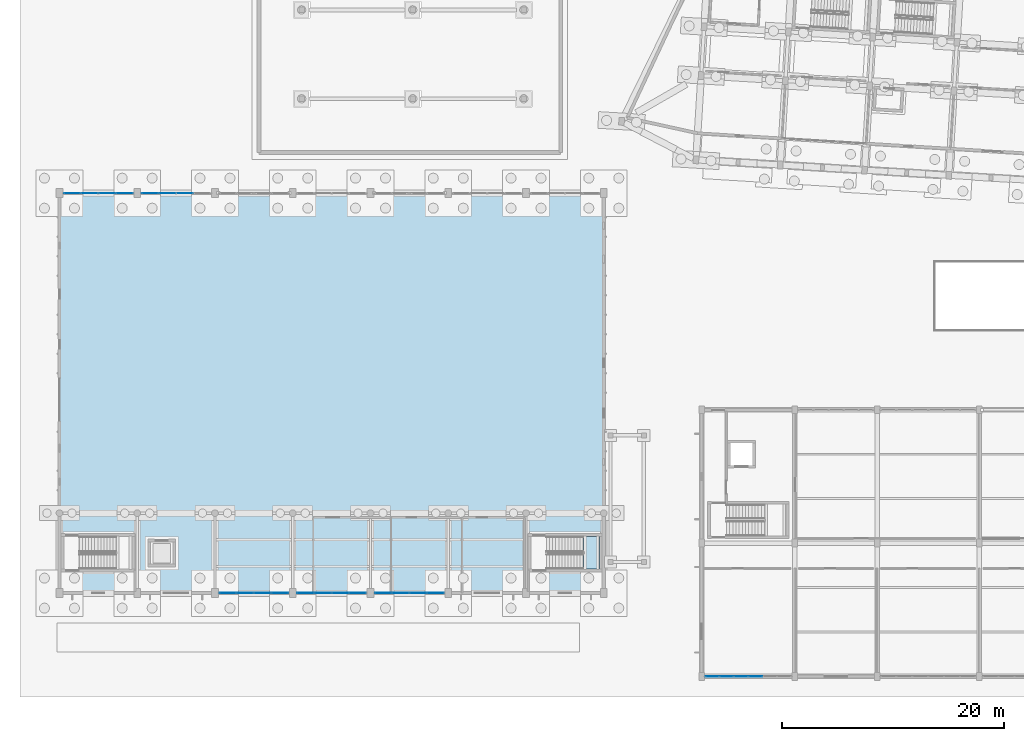
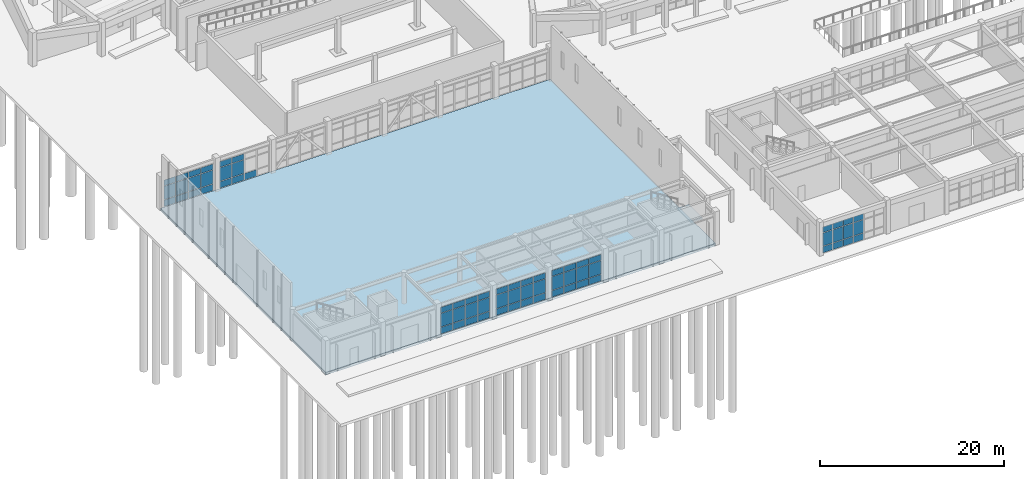
# One storey, part 100 of 154: 67 plates, 2 slabs, 7 elements without a shape of their own.
"""IFC4 building model written with IfcOpenShell, lengths in metres."""

from ifc_helpers import new_model, si_unit, direction, frame, origin, origin_2d, place, context, subcontext, project, spatial, polyline, rectangle, outline, extrude, material, layer, layer_set, type_object, element, aggregate, save


model = new_model("IFC4")

# Units and contexts
model_context = context("Model", 3, precision=1e-05, world=origin(), true_north=direction((0.0, 1.0)))
body_context = subcontext(model_context, "Body", "Model", "MODEL_VIEW")
ifc_project = project(units=[si_unit("LENGTHUNIT", "METRE"), si_unit("AREAUNIT", "SQUARE_METRE"), si_unit("VOLUMEUNIT", "CUBIC_METRE"), si_unit("PLANEANGLEUNIT", "RADIAN"), si_unit("MASSUNIT", "GRAM", prefix="KILO")], contexts=[model_context])

# Site, building, storey
site_placement = place(None, origin())
site = spatial("IfcSite", under=ifc_project, at=site_placement, CompositionType="ELEMENT")
building_placement = place(site_placement, origin())
building = spatial("IfcBuilding", under=site, at=building_placement, Name="Kestramere Prow Commons", CompositionType="ELEMENT")
storey_placement = place(building_placement, origin())
storey = spatial("IfcBuildingStorey", under=building, at=storey_placement, Name="L00", CompositionType="ELEMENT", Elevation=0.0)

# Curtain wall, plates
ifc_material_1 = material(Name="Anodised Aluminium and Low-E Glass", Category="aluminium")
curtain_wall_type_1 = type_object("IfcCurtainWallType", Name="CW-11 Glazed Curtain Wall 6300x3650", PredefinedType="USERDEFINED", material=ifc_material_1)
curtain_wall_1_placement = place(storey_placement, origin())
curtain_wall_1 = element("IfcCurtainWall", 1, at=curtain_wall_1_placement, inside=storey, type_object=curtain_wall_type_1, Name="Hall North Courtyard Curtain Wall L00-1", ObjectType="GLAZED CURTAIN WALL", PredefinedType="USERDEFINED")
ifc_material_2 = material(Name="Low-E Laminated Double Glazing", Category="glass")
ifc_layer_1 = layer(ifc_material_2, 0.028076171875)
ifc_layer_set_1 = layer_set([ifc_layer_1], Name="Low-E Laminated Double Glazing")
plate_type = type_object("IfcPlateType", Name="CW-PNL-28", PredefinedType="CURTAIN_PANEL", material=ifc_layer_set_1)
plate_1_placement = place(storey_placement, frame((3.353759765625, 43.5, 0.06494140625), z_axis=(0.0, 0.0, 1.0), x_axis=(1.0, 0.0, 0.0)))
plate_1 = element("IfcPlate", 2, at=plate_1_placement, type_object=plate_type, Name="CW-11 panel 1.1", PredefinedType="CURTAIN_PANEL", context=body_context, shape_type="SweptSolid", body=[
    extrude(rectangle(XDim=1.4775390625, YDim=0.028076171875, at=origin_2d()), origin(), (0.0, 0.0, 1.0), 0.8525390625),
])
plate_2_placement = place(storey_placement, frame((3.353759765625, 43.5, 0.982421875), z_axis=(0.0, 0.0, 1.0), x_axis=(1.0, 0.0, 0.0)))
plate_2 = element("IfcPlate", 3, at=plate_2_placement, type_object=plate_type, Name="CW-11 panel 1.2", PredefinedType="CURTAIN_PANEL", context=body_context, shape_type="SweptSolid", body=[
    extrude(rectangle(XDim=1.4775390625, YDim=0.028076171875, at=origin_2d()), origin(), (0.0, 0.0, 1.0), 1.784912109375),
])
plate_3_placement = place(storey_placement, frame((3.353759765625, 43.5, 2.83251953125), z_axis=(0.0, 0.0, 1.0), x_axis=(1.0, 0.0, 0.0)))
plate_3 = element("IfcPlate", 4, at=plate_3_placement, type_object=plate_type, Name="CW-11 panel 1.3", PredefinedType="CURTAIN_PANEL", context=body_context, shape_type="SweptSolid", body=[
    extrude(rectangle(XDim=1.4775390625, YDim=0.028076171875, at=origin_2d()), origin(), (0.0, 0.0, 1.0), 0.75244140625),
])
plate_4_placement = place(storey_placement, frame((4.91259765625, 43.5, 0.06494140625), z_axis=(0.0, 0.0, 1.0), x_axis=(1.0, 0.0, 0.0)))
plate_4 = element("IfcPlate", 5, at=plate_4_placement, type_object=plate_type, Name="CW-11 panel 2.1", PredefinedType="CURTAIN_PANEL", context=body_context, shape_type="SweptSolid", body=[
    extrude(rectangle(XDim=1.510009765625, YDim=0.028076171875, at=origin_2d()), origin(), (0.0, 0.0, 1.0), 0.8525390625),
])
plate_5_placement = place(storey_placement, frame((4.91259765625, 43.5, 0.982421875), z_axis=(0.0, 0.0, 1.0), x_axis=(1.0, 0.0, 0.0)))
plate_5 = element("IfcPlate", 6, at=plate_5_placement, type_object=plate_type, Name="CW-11 panel 2.2", PredefinedType="CURTAIN_PANEL", context=body_context, shape_type="SweptSolid", body=[
    extrude(rectangle(XDim=1.510009765625, YDim=0.028076171875, at=origin_2d()), origin(), (0.0, 0.0, 1.0), 1.784912109375),
])
plate_6_placement = place(storey_placement, frame((4.91259765625, 43.5, 2.83251953125), z_axis=(0.0, 0.0, 1.0), x_axis=(1.0, 0.0, 0.0)))
plate_6 = element("IfcPlate", 7, at=plate_6_placement, type_object=plate_type, Name="CW-11 panel 2.3", PredefinedType="CURTAIN_PANEL", context=body_context, shape_type="SweptSolid", body=[
    extrude(rectangle(XDim=1.510009765625, YDim=0.028076171875, at=origin_2d()), origin(), (0.0, 0.0, 1.0), 0.75244140625),
])
plate_7_placement = place(storey_placement, frame((6.487548828125, 43.5, 0.06494140625), z_axis=(0.0, 0.0, 1.0), x_axis=(1.0, 0.0, 0.0)))
plate_7 = element("IfcPlate", 8, at=plate_7_placement, type_object=plate_type, Name="CW-11 panel 3.1", PredefinedType="CURTAIN_PANEL", context=body_context, shape_type="SweptSolid", body=[
    extrude(rectangle(XDim=1.510009765625, YDim=0.028076171875, at=origin_2d()), origin(), (0.0, 0.0, 1.0), 0.8525390625),
])
plate_8_placement = place(storey_placement, frame((6.487548828125, 43.5, 0.982421875), z_axis=(0.0, 0.0, 1.0), x_axis=(1.0, 0.0, 0.0)))
plate_8 = element("IfcPlate", 9, at=plate_8_placement, type_object=plate_type, Name="CW-11 panel 3.2", PredefinedType="CURTAIN_PANEL", context=body_context, shape_type="SweptSolid", body=[
    extrude(rectangle(XDim=1.510009765625, YDim=0.028076171875, at=origin_2d()), origin(), (0.0, 0.0, 1.0), 1.784912109375),
])
plate_9_placement = place(storey_placement, frame((6.487548828125, 43.5, 2.83251953125), z_axis=(0.0, 0.0, 1.0), x_axis=(1.0, 0.0, 0.0)))
plate_9 = element("IfcPlate", 10, at=plate_9_placement, type_object=plate_type, Name="CW-11 panel 3.3", PredefinedType="CURTAIN_PANEL", context=body_context, shape_type="SweptSolid", body=[
    extrude(rectangle(XDim=1.510009765625, YDim=0.028076171875, at=origin_2d()), origin(), (0.0, 0.0, 1.0), 0.75244140625),
])
plate_10_placement = place(storey_placement, frame((8.046142578125, 43.5, 0.06494140625), z_axis=(0.0, 0.0, 1.0), x_axis=(1.0, 0.0, 0.0)))
plate_10 = element("IfcPlate", 11, at=plate_10_placement, type_object=plate_type, Name="CW-11 panel 4.1", PredefinedType="CURTAIN_PANEL", context=body_context, shape_type="SweptSolid", body=[
    extrude(rectangle(XDim=1.4775390625, YDim=0.028076171875, at=origin_2d()), origin(), (0.0, 0.0, 1.0), 0.8525390625),
])
plate_11_placement = place(storey_placement, frame((8.046142578125, 43.5, 0.982421875), z_axis=(0.0, 0.0, 1.0), x_axis=(1.0, 0.0, 0.0)))
plate_11 = element("IfcPlate", 12, at=plate_11_placement, type_object=plate_type, Name="CW-11 panel 4.2", PredefinedType="CURTAIN_PANEL", context=body_context, shape_type="SweptSolid", body=[
    extrude(rectangle(XDim=1.4775390625, YDim=0.028076171875, at=origin_2d()), origin(), (0.0, 0.0, 1.0), 1.784912109375),
])
plate_12_placement = place(storey_placement, frame((8.046142578125, 43.5, 2.83251953125), z_axis=(0.0, 0.0, 1.0), x_axis=(1.0, 0.0, 0.0)))
plate_12 = element("IfcPlate", 13, at=plate_12_placement, type_object=plate_type, Name="CW-11 panel 4.3", PredefinedType="CURTAIN_PANEL", context=body_context, shape_type="SweptSolid", body=[
    extrude(rectangle(XDim=1.4775390625, YDim=0.028076171875, at=origin_2d()), origin(), (0.0, 0.0, 1.0), 0.75244140625),
])
aggregate(curtain_wall_1, [plate_1, plate_2, plate_3, plate_4, plate_5, plate_6, plate_7, plate_8, plate_9, plate_10, plate_11, plate_12])

curtain_wall_2_placement = place(storey_placement, origin())
curtain_wall_2 = element("IfcCurtainWall", 14, at=curtain_wall_2_placement, inside=storey, type_object=curtain_wall_type_1, Name="Hall North Courtyard Curtain Wall L00-2", ObjectType="GLAZED CURTAIN WALL", PredefinedType="USERDEFINED")
plate_13_placement = place(storey_placement, frame((10.353759765625, 43.5, 0.06494140625), z_axis=(0.0, 0.0, 1.0), x_axis=(1.0, 0.0, 0.0)))
plate_13 = element("IfcPlate", 15, at=plate_13_placement, type_object=plate_type, Name="CW-11 panel 1.1", PredefinedType="CURTAIN_PANEL", context=body_context, shape_type="SweptSolid", body=[
    extrude(rectangle(XDim=1.4775390625, YDim=0.028076171875, at=origin_2d()), origin(), (0.0, 0.0, 1.0), 0.8525390625),
])
plate_14_placement = place(storey_placement, frame((10.353759765625, 43.5, 0.982421875), z_axis=(0.0, 0.0, 1.0), x_axis=(1.0, 0.0, 0.0)))
plate_14 = element("IfcPlate", 16, at=plate_14_placement, type_object=plate_type, Name="CW-11 panel 1.2", PredefinedType="CURTAIN_PANEL", context=body_context, shape_type="SweptSolid", body=[
    extrude(rectangle(XDim=1.4775390625, YDim=0.028076171875, at=origin_2d()), origin(), (0.0, 0.0, 1.0), 1.784912109375),
])
plate_15_placement = place(storey_placement, frame((10.353759765625, 43.5, 2.83251953125), z_axis=(0.0, 0.0, 1.0), x_axis=(1.0, 0.0, 0.0)))
plate_15 = element("IfcPlate", 17, at=plate_15_placement, type_object=plate_type, Name="CW-11 panel 1.3", PredefinedType="CURTAIN_PANEL", context=body_context, shape_type="SweptSolid", body=[
    extrude(rectangle(XDim=1.4775390625, YDim=0.028076171875, at=origin_2d()), origin(), (0.0, 0.0, 1.0), 0.75244140625),
])
plate_16_placement = place(storey_placement, frame((11.91259765625, 43.5, 0.06494140625), z_axis=(0.0, 0.0, 1.0), x_axis=(1.0, 0.0, 0.0)))
plate_16 = element("IfcPlate", 18, at=plate_16_placement, type_object=plate_type, Name="CW-11 panel 2.1", PredefinedType="CURTAIN_PANEL", context=body_context, shape_type="SweptSolid", body=[
    extrude(rectangle(XDim=1.510009765625, YDim=0.028076171875, at=origin_2d()), origin(), (0.0, 0.0, 1.0), 0.8525390625),
])
plate_17_placement = place(storey_placement, frame((11.91259765625, 43.5, 0.982421875), z_axis=(0.0, 0.0, 1.0), x_axis=(1.0, 0.0, 0.0)))
plate_17 = element("IfcPlate", 19, at=plate_17_placement, type_object=plate_type, Name="CW-11 panel 2.2", PredefinedType="CURTAIN_PANEL", context=body_context, shape_type="SweptSolid", body=[
    extrude(rectangle(XDim=1.510009765625, YDim=0.028076171875, at=origin_2d()), origin(), (0.0, 0.0, 1.0), 1.784912109375),
])
plate_18_placement = place(storey_placement, frame((11.91259765625, 43.5, 2.83251953125), z_axis=(0.0, 0.0, 1.0), x_axis=(1.0, 0.0, 0.0)))
plate_18 = element("IfcPlate", 20, at=plate_18_placement, type_object=plate_type, Name="CW-11 panel 2.3", PredefinedType="CURTAIN_PANEL", context=body_context, shape_type="SweptSolid", body=[
    extrude(rectangle(XDim=1.510009765625, YDim=0.028076171875, at=origin_2d()), origin(), (0.0, 0.0, 1.0), 0.75244140625),
])
plate_19_placement = place(storey_placement, frame((13.487548828125, 43.5, 0.06494140625), z_axis=(0.0, 0.0, 1.0), x_axis=(1.0, 0.0, 0.0)))
plate_19 = element("IfcPlate", 21, at=plate_19_placement, type_object=plate_type, Name="CW-11 panel 3.1", PredefinedType="CURTAIN_PANEL", context=body_context, shape_type="SweptSolid", body=[
    extrude(rectangle(XDim=1.510009765625, YDim=0.028076171875, at=origin_2d()), origin(), (0.0, 0.0, 1.0), 0.8525390625),
])
aggregate(curtain_wall_2, [plate_13, plate_14, plate_15, plate_16, plate_17, plate_18, plate_19])

curtain_wall_3_placement = place(storey_placement, origin())
curtain_wall_3 = element("IfcCurtainWall", 22, at=curtain_wall_3_placement, inside=storey, type_object=curtain_wall_type_1, Name="Hall South Foyer Curtain Wall 3", ObjectType="GLAZED CURTAIN WALL", PredefinedType="USERDEFINED")
plate_20_placement = place(storey_placement, frame((22.046142578125, 7.5, 0.06494140625), z_axis=(0.0, 0.0, 1.0), x_axis=(-1.0, 0.0, 0.0)))
plate_20 = element("IfcPlate", 23, at=plate_20_placement, type_object=plate_type, Name="CW-11 panel 1.1", PredefinedType="CURTAIN_PANEL", context=body_context, shape_type="SweptSolid", body=[
    extrude(rectangle(XDim=1.4775390625, YDim=0.028076171875, at=origin_2d()), origin(), (0.0, 0.0, 1.0), 0.8525390625),
])
plate_21_placement = place(storey_placement, frame((22.046142578125, 7.5, 0.982421875), z_axis=(0.0, 0.0, 1.0), x_axis=(-1.0, 0.0, 0.0)))
plate_21 = element("IfcPlate", 24, at=plate_21_placement, type_object=plate_type, Name="CW-11 panel 1.2", PredefinedType="CURTAIN_PANEL", context=body_context, shape_type="SweptSolid", body=[
    extrude(rectangle(XDim=1.4775390625, YDim=0.028076171875, at=origin_2d()), origin(), (0.0, 0.0, 1.0), 1.784912109375),
])
plate_22_placement = place(storey_placement, frame((22.046142578125, 7.5, 2.83251953125), z_axis=(0.0, 0.0, 1.0), x_axis=(-1.0, 0.0, 0.0)))
plate_22 = element("IfcPlate", 25, at=plate_22_placement, type_object=plate_type, Name="CW-11 panel 1.3", PredefinedType="CURTAIN_PANEL", context=body_context, shape_type="SweptSolid", body=[
    extrude(rectangle(XDim=1.4775390625, YDim=0.028076171875, at=origin_2d()), origin(), (0.0, 0.0, 1.0), 0.75244140625),
])
plate_23_placement = place(storey_placement, frame((20.487548828125, 7.5, 0.06494140625), z_axis=(0.0, 0.0, 1.0), x_axis=(-1.0, 0.0, 0.0)))
plate_23 = element("IfcPlate", 26, at=plate_23_placement, type_object=plate_type, Name="CW-11 panel 2.1", PredefinedType="CURTAIN_PANEL", context=body_context, shape_type="SweptSolid", body=[
    extrude(rectangle(XDim=1.510009765625, YDim=0.028076171875, at=origin_2d()), origin(), (0.0, 0.0, 1.0), 0.8525390625),
])
plate_24_placement = place(storey_placement, frame((20.487548828125, 7.5, 0.982421875), z_axis=(0.0, 0.0, 1.0), x_axis=(-1.0, 0.0, 0.0)))
plate_24 = element("IfcPlate", 27, at=plate_24_placement, type_object=plate_type, Name="CW-11 panel 2.2", PredefinedType="CURTAIN_PANEL", context=body_context, shape_type="SweptSolid", body=[
    extrude(rectangle(XDim=1.510009765625, YDim=0.028076171875, at=origin_2d()), origin(), (0.0, 0.0, 1.0), 1.784912109375),
])
plate_25_placement = place(storey_placement, frame((20.487548828125, 7.5, 2.83251953125), z_axis=(0.0, 0.0, 1.0), x_axis=(-1.0, 0.0, 0.0)))
plate_25 = element("IfcPlate", 28, at=plate_25_placement, type_object=plate_type, Name="CW-11 panel 2.3", PredefinedType="CURTAIN_PANEL", context=body_context, shape_type="SweptSolid", body=[
    extrude(rectangle(XDim=1.510009765625, YDim=0.028076171875, at=origin_2d()), origin(), (0.0, 0.0, 1.0), 0.75244140625),
])
plate_26_placement = place(storey_placement, frame((18.91259765625, 7.5, 0.06494140625), z_axis=(0.0, 0.0, 1.0), x_axis=(-1.0, 0.0, 0.0)))
plate_26 = element("IfcPlate", 29, at=plate_26_placement, type_object=plate_type, Name="CW-11 panel 3.1", PredefinedType="CURTAIN_PANEL", context=body_context, shape_type="SweptSolid", body=[
    extrude(rectangle(XDim=1.510009765625, YDim=0.028076171875, at=origin_2d()), origin(), (0.0, 0.0, 1.0), 0.8525390625),
])
plate_27_placement = place(storey_placement, frame((18.91259765625, 7.5, 0.982421875), z_axis=(0.0, 0.0, 1.0), x_axis=(-1.0, 0.0, 0.0)))
plate_27 = element("IfcPlate", 30, at=plate_27_placement, type_object=plate_type, Name="CW-11 panel 3.2", PredefinedType="CURTAIN_PANEL", context=body_context, shape_type="SweptSolid", body=[
    extrude(rectangle(XDim=1.510009765625, YDim=0.028076171875, at=origin_2d()), origin(), (0.0, 0.0, 1.0), 1.784912109375),
])
plate_28_placement = place(storey_placement, frame((18.91259765625, 7.5, 2.83251953125), z_axis=(0.0, 0.0, 1.0), x_axis=(-1.0, 0.0, 0.0)))
plate_28 = element("IfcPlate", 31, at=plate_28_placement, type_object=plate_type, Name="CW-11 panel 3.3", PredefinedType="CURTAIN_PANEL", context=body_context, shape_type="SweptSolid", body=[
    extrude(rectangle(XDim=1.510009765625, YDim=0.028076171875, at=origin_2d()), origin(), (0.0, 0.0, 1.0), 0.75244140625),
])
plate_29_placement = place(storey_placement, frame((17.353759765625, 7.5, 0.06494140625), z_axis=(0.0, 0.0, 1.0), x_axis=(-1.0, 0.0, 0.0)))
plate_29 = element("IfcPlate", 32, at=plate_29_placement, type_object=plate_type, Name="CW-11 panel 4.1", PredefinedType="CURTAIN_PANEL", context=body_context, shape_type="SweptSolid", body=[
    extrude(rectangle(XDim=1.4775390625, YDim=0.028076171875, at=origin_2d()), origin(), (0.0, 0.0, 1.0), 0.8525390625),
])
plate_30_placement = place(storey_placement, frame((17.353759765625, 7.5, 0.982421875), z_axis=(0.0, 0.0, 1.0), x_axis=(-1.0, 0.0, 0.0)))
plate_30 = element("IfcPlate", 33, at=plate_30_placement, type_object=plate_type, Name="CW-11 panel 4.2", PredefinedType="CURTAIN_PANEL", context=body_context, shape_type="SweptSolid", body=[
    extrude(rectangle(XDim=1.4775390625, YDim=0.028076171875, at=origin_2d()), origin(), (0.0, 0.0, 1.0), 1.784912109375),
])
plate_31_placement = place(storey_placement, frame((17.353759765625, 7.5, 2.83251953125), z_axis=(0.0, 0.0, 1.0), x_axis=(-1.0, 0.0, 0.0)))
plate_31 = element("IfcPlate", 34, at=plate_31_placement, type_object=plate_type, Name="CW-11 panel 4.3", PredefinedType="CURTAIN_PANEL", context=body_context, shape_type="SweptSolid", body=[
    extrude(rectangle(XDim=1.4775390625, YDim=0.028076171875, at=origin_2d()), origin(), (0.0, 0.0, 1.0), 0.75244140625),
])
aggregate(curtain_wall_3, [plate_20, plate_21, plate_22, plate_23, plate_24, plate_25, plate_26, plate_27, plate_28, plate_29, plate_30, plate_31])

curtain_wall_4_placement = place(storey_placement, origin())
curtain_wall_4 = element("IfcCurtainWall", 35, at=curtain_wall_4_placement, inside=storey, type_object=curtain_wall_type_1, Name="Hall South Foyer Curtain Wall 4", ObjectType="GLAZED CURTAIN WALL", PredefinedType="USERDEFINED")
plate_32_placement = place(storey_placement, frame((29.046142578125, 7.5, 0.06494140625), z_axis=(0.0, 0.0, 1.0), x_axis=(-1.0, 0.0, 0.0)))
plate_32 = element("IfcPlate", 36, at=plate_32_placement, type_object=plate_type, Name="CW-11 panel 1.1", PredefinedType="CURTAIN_PANEL", context=body_context, shape_type="SweptSolid", body=[
    extrude(rectangle(XDim=1.4775390625, YDim=0.028076171875, at=origin_2d()), origin(), (0.0, 0.0, 1.0), 0.8525390625),
])
plate_33_placement = place(storey_placement, frame((29.046142578125, 7.5, 0.982421875), z_axis=(0.0, 0.0, 1.0), x_axis=(-1.0, 0.0, 0.0)))
plate_33 = element("IfcPlate", 37, at=plate_33_placement, type_object=plate_type, Name="CW-11 panel 1.2", PredefinedType="CURTAIN_PANEL", context=body_context, shape_type="SweptSolid", body=[
    extrude(rectangle(XDim=1.4775390625, YDim=0.028076171875, at=origin_2d()), origin(), (0.0, 0.0, 1.0), 1.784912109375),
])
plate_34_placement = place(storey_placement, frame((29.046142578125, 7.5, 2.83251953125), z_axis=(0.0, 0.0, 1.0), x_axis=(-1.0, 0.0, 0.0)))
plate_34 = element("IfcPlate", 38, at=plate_34_placement, type_object=plate_type, Name="CW-11 panel 1.3", PredefinedType="CURTAIN_PANEL", context=body_context, shape_type="SweptSolid", body=[
    extrude(rectangle(XDim=1.4775390625, YDim=0.028076171875, at=origin_2d()), origin(), (0.0, 0.0, 1.0), 0.75244140625),
])
plate_35_placement = place(storey_placement, frame((27.487548828125, 7.5, 0.06494140625), z_axis=(0.0, 0.0, 1.0), x_axis=(-1.0, 0.0, 0.0)))
plate_35 = element("IfcPlate", 39, at=plate_35_placement, type_object=plate_type, Name="CW-11 panel 2.1", PredefinedType="CURTAIN_PANEL", context=body_context, shape_type="SweptSolid", body=[
    extrude(rectangle(XDim=1.510009765625, YDim=0.028076171875, at=origin_2d()), origin(), (0.0, 0.0, 1.0), 0.8525390625),
])
plate_36_placement = place(storey_placement, frame((27.487548828125, 7.5, 0.982421875), z_axis=(0.0, 0.0, 1.0), x_axis=(-1.0, 0.0, 0.0)))
plate_36 = element("IfcPlate", 40, at=plate_36_placement, type_object=plate_type, Name="CW-11 panel 2.2", PredefinedType="CURTAIN_PANEL", context=body_context, shape_type="SweptSolid", body=[
    extrude(rectangle(XDim=1.510009765625, YDim=0.028076171875, at=origin_2d()), origin(), (0.0, 0.0, 1.0), 1.784912109375),
])
plate_37_placement = place(storey_placement, frame((27.487548828125, 7.5, 2.83251953125), z_axis=(0.0, 0.0, 1.0), x_axis=(-1.0, 0.0, 0.0)))
plate_37 = element("IfcPlate", 41, at=plate_37_placement, type_object=plate_type, Name="CW-11 panel 2.3", PredefinedType="CURTAIN_PANEL", context=body_context, shape_type="SweptSolid", body=[
    extrude(rectangle(XDim=1.510009765625, YDim=0.028076171875, at=origin_2d()), origin(), (0.0, 0.0, 1.0), 0.75244140625),
])
plate_38_placement = place(storey_placement, frame((25.91259765625, 7.5, 0.06494140625), z_axis=(0.0, 0.0, 1.0), x_axis=(-1.0, 0.0, 0.0)))
plate_38 = element("IfcPlate", 42, at=plate_38_placement, type_object=plate_type, Name="CW-11 panel 3.1", PredefinedType="CURTAIN_PANEL", context=body_context, shape_type="SweptSolid", body=[
    extrude(rectangle(XDim=1.510009765625, YDim=0.028076171875, at=origin_2d()), origin(), (0.0, 0.0, 1.0), 0.8525390625),
])
plate_39_placement = place(storey_placement, frame((25.91259765625, 7.5, 0.982421875), z_axis=(0.0, 0.0, 1.0), x_axis=(-1.0, 0.0, 0.0)))
plate_39 = element("IfcPlate", 43, at=plate_39_placement, type_object=plate_type, Name="CW-11 panel 3.2", PredefinedType="CURTAIN_PANEL", context=body_context, shape_type="SweptSolid", body=[
    extrude(rectangle(XDim=1.510009765625, YDim=0.028076171875, at=origin_2d()), origin(), (0.0, 0.0, 1.0), 1.784912109375),
])
plate_40_placement = place(storey_placement, frame((25.91259765625, 7.5, 2.83251953125), z_axis=(0.0, 0.0, 1.0), x_axis=(-1.0, 0.0, 0.0)))
plate_40 = element("IfcPlate", 44, at=plate_40_placement, type_object=plate_type, Name="CW-11 panel 3.3", PredefinedType="CURTAIN_PANEL", context=body_context, shape_type="SweptSolid", body=[
    extrude(rectangle(XDim=1.510009765625, YDim=0.028076171875, at=origin_2d()), origin(), (0.0, 0.0, 1.0), 0.75244140625),
])
plate_41_placement = place(storey_placement, frame((24.353759765625, 7.5, 0.06494140625), z_axis=(0.0, 0.0, 1.0), x_axis=(-1.0, 0.0, 0.0)))
plate_41 = element("IfcPlate", 45, at=plate_41_placement, type_object=plate_type, Name="CW-11 panel 4.1", PredefinedType="CURTAIN_PANEL", context=body_context, shape_type="SweptSolid", body=[
    extrude(rectangle(XDim=1.4775390625, YDim=0.028076171875, at=origin_2d()), origin(), (0.0, 0.0, 1.0), 0.8525390625),
])
plate_42_placement = place(storey_placement, frame((24.353759765625, 7.5, 0.982421875), z_axis=(0.0, 0.0, 1.0), x_axis=(-1.0, 0.0, 0.0)))
plate_42 = element("IfcPlate", 46, at=plate_42_placement, type_object=plate_type, Name="CW-11 panel 4.2", PredefinedType="CURTAIN_PANEL", context=body_context, shape_type="SweptSolid", body=[
    extrude(rectangle(XDim=1.4775390625, YDim=0.028076171875, at=origin_2d()), origin(), (0.0, 0.0, 1.0), 1.784912109375),
])
plate_43_placement = place(storey_placement, frame((24.353759765625, 7.5, 2.83251953125), z_axis=(0.0, 0.0, 1.0), x_axis=(-1.0, 0.0, 0.0)))
plate_43 = element("IfcPlate", 47, at=plate_43_placement, type_object=plate_type, Name="CW-11 panel 4.3", PredefinedType="CURTAIN_PANEL", context=body_context, shape_type="SweptSolid", body=[
    extrude(rectangle(XDim=1.4775390625, YDim=0.028076171875, at=origin_2d()), origin(), (0.0, 0.0, 1.0), 0.75244140625),
])
aggregate(curtain_wall_4, [plate_32, plate_33, plate_34, plate_35, plate_36, plate_37, plate_38, plate_39, plate_40, plate_41, plate_42, plate_43])

curtain_wall_5_placement = place(storey_placement, origin())
curtain_wall_5 = element("IfcCurtainWall", 48, at=curtain_wall_5_placement, inside=storey, type_object=curtain_wall_type_1, Name="Hall South Foyer Curtain Wall 5", ObjectType="GLAZED CURTAIN WALL", PredefinedType="USERDEFINED")
plate_44_placement = place(storey_placement, frame((36.046142578125, 7.5, 0.06494140625), z_axis=(0.0, 0.0, 1.0), x_axis=(-1.0, 0.0, 0.0)))
plate_44 = element("IfcPlate", 49, at=plate_44_placement, type_object=plate_type, Name="CW-11 panel 1.1", PredefinedType="CURTAIN_PANEL", context=body_context, shape_type="SweptSolid", body=[
    extrude(rectangle(XDim=1.4775390625, YDim=0.028076171875, at=origin_2d()), origin(), (0.0, 0.0, 1.0), 0.8525390625),
])
plate_45_placement = place(storey_placement, frame((36.046142578125, 7.5, 0.982421875), z_axis=(0.0, 0.0, 1.0), x_axis=(-1.0, 0.0, 0.0)))
plate_45 = element("IfcPlate", 50, at=plate_45_placement, type_object=plate_type, Name="CW-11 panel 1.2", PredefinedType="CURTAIN_PANEL", context=body_context, shape_type="SweptSolid", body=[
    extrude(rectangle(XDim=1.4775390625, YDim=0.028076171875, at=origin_2d()), origin(), (0.0, 0.0, 1.0), 1.784912109375),
])
plate_46_placement = place(storey_placement, frame((36.046142578125, 7.5, 2.83251953125), z_axis=(0.0, 0.0, 1.0), x_axis=(-1.0, 0.0, 0.0)))
plate_46 = element("IfcPlate", 51, at=plate_46_placement, type_object=plate_type, Name="CW-11 panel 1.3", PredefinedType="CURTAIN_PANEL", context=body_context, shape_type="SweptSolid", body=[
    extrude(rectangle(XDim=1.4775390625, YDim=0.028076171875, at=origin_2d()), origin(), (0.0, 0.0, 1.0), 0.75244140625),
])
plate_47_placement = place(storey_placement, frame((34.487548828125, 7.5, 0.06494140625), z_axis=(0.0, 0.0, 1.0), x_axis=(-1.0, 0.0, 0.0)))
plate_47 = element("IfcPlate", 52, at=plate_47_placement, type_object=plate_type, Name="CW-11 panel 2.1", PredefinedType="CURTAIN_PANEL", context=body_context, shape_type="SweptSolid", body=[
    extrude(rectangle(XDim=1.510009765625, YDim=0.028076171875, at=origin_2d()), origin(), (0.0, 0.0, 1.0), 0.8525390625),
])
plate_48_placement = place(storey_placement, frame((34.487548828125, 7.5, 0.982421875), z_axis=(0.0, 0.0, 1.0), x_axis=(-1.0, 0.0, 0.0)))
plate_48 = element("IfcPlate", 53, at=plate_48_placement, type_object=plate_type, Name="CW-11 panel 2.2", PredefinedType="CURTAIN_PANEL", context=body_context, shape_type="SweptSolid", body=[
    extrude(rectangle(XDim=1.510009765625, YDim=0.028076171875, at=origin_2d()), origin(), (0.0, 0.0, 1.0), 1.784912109375),
])
plate_49_placement = place(storey_placement, frame((34.487548828125, 7.5, 2.83251953125), z_axis=(0.0, 0.0, 1.0), x_axis=(-1.0, 0.0, 0.0)))
plate_49 = element("IfcPlate", 54, at=plate_49_placement, type_object=plate_type, Name="CW-11 panel 2.3", PredefinedType="CURTAIN_PANEL", context=body_context, shape_type="SweptSolid", body=[
    extrude(rectangle(XDim=1.510009765625, YDim=0.028076171875, at=origin_2d()), origin(), (0.0, 0.0, 1.0), 0.75244140625),
])
plate_50_placement = place(storey_placement, frame((32.91259765625, 7.5, 0.06494140625), z_axis=(0.0, 0.0, 1.0), x_axis=(-1.0, 0.0, 0.0)))
plate_50 = element("IfcPlate", 55, at=plate_50_placement, type_object=plate_type, Name="CW-11 panel 3.1", PredefinedType="CURTAIN_PANEL", context=body_context, shape_type="SweptSolid", body=[
    extrude(rectangle(XDim=1.510009765625, YDim=0.028076171875, at=origin_2d()), origin(), (0.0, 0.0, 1.0), 0.8525390625),
])
plate_51_placement = place(storey_placement, frame((32.91259765625, 7.5, 0.982421875), z_axis=(0.0, 0.0, 1.0), x_axis=(-1.0, 0.0, 0.0)))
plate_51 = element("IfcPlate", 56, at=plate_51_placement, type_object=plate_type, Name="CW-11 panel 3.2", PredefinedType="CURTAIN_PANEL", context=body_context, shape_type="SweptSolid", body=[
    extrude(rectangle(XDim=1.510009765625, YDim=0.028076171875, at=origin_2d()), origin(), (0.0, 0.0, 1.0), 1.784912109375),
])
plate_52_placement = place(storey_placement, frame((32.91259765625, 7.5, 2.83251953125), z_axis=(0.0, 0.0, 1.0), x_axis=(-1.0, 0.0, 0.0)))
plate_52 = element("IfcPlate", 57, at=plate_52_placement, type_object=plate_type, Name="CW-11 panel 3.3", PredefinedType="CURTAIN_PANEL", context=body_context, shape_type="SweptSolid", body=[
    extrude(rectangle(XDim=1.510009765625, YDim=0.028076171875, at=origin_2d()), origin(), (0.0, 0.0, 1.0), 0.75244140625),
])
plate_53_placement = place(storey_placement, frame((31.353759765625, 7.5, 0.06494140625), z_axis=(0.0, 0.0, 1.0), x_axis=(-1.0, 0.0, 0.0)))
plate_53 = element("IfcPlate", 58, at=plate_53_placement, type_object=plate_type, Name="CW-11 panel 4.1", PredefinedType="CURTAIN_PANEL", context=body_context, shape_type="SweptSolid", body=[
    extrude(rectangle(XDim=1.4775390625, YDim=0.028076171875, at=origin_2d()), origin(), (0.0, 0.0, 1.0), 0.8525390625),
])
plate_54_placement = place(storey_placement, frame((31.353759765625, 7.5, 0.982421875), z_axis=(0.0, 0.0, 1.0), x_axis=(-1.0, 0.0, 0.0)))
plate_54 = element("IfcPlate", 59, at=plate_54_placement, type_object=plate_type, Name="CW-11 panel 4.2", PredefinedType="CURTAIN_PANEL", context=body_context, shape_type="SweptSolid", body=[
    extrude(rectangle(XDim=1.4775390625, YDim=0.028076171875, at=origin_2d()), origin(), (0.0, 0.0, 1.0), 1.784912109375),
])
plate_55_placement = place(storey_placement, frame((31.353759765625, 7.5, 2.83251953125), z_axis=(0.0, 0.0, 1.0), x_axis=(-1.0, 0.0, 0.0)))
plate_55 = element("IfcPlate", 60, at=plate_55_placement, type_object=plate_type, Name="CW-11 panel 4.3", PredefinedType="CURTAIN_PANEL", context=body_context, shape_type="SweptSolid", body=[
    extrude(rectangle(XDim=1.4775390625, YDim=0.028076171875, at=origin_2d()), origin(), (0.0, 0.0, 1.0), 0.75244140625),
])
aggregate(curtain_wall_5, [plate_44, plate_45, plate_46, plate_47, plate_48, plate_49, plate_50, plate_51, plate_52, plate_53, plate_54, plate_55])

curtain_wall_type_2 = type_object("IfcCurtainWallType", Name="CW-19 Glazed Curtain Wall 7800x3590", PredefinedType="USERDEFINED", material=ifc_material_1)
curtain_wall_6_placement = place(storey_placement, origin())
curtain_wall_6 = element("IfcCurtainWall", 61, at=curtain_wall_6_placement, inside=storey, type_object=curtain_wall_type_2, Name="Market L00 South Shopfront 1", ObjectType="GLAZED CURTAIN WALL", PredefinedType="USERDEFINED")
plate_56_placement = place(storey_placement, frame((64.85009765625, 0.0, 0.06494140625), z_axis=(0.0, 0.0, 1.0), x_axis=(-1.0, 0.0, 0.0)))
plate_56 = element("IfcPlate", 62, at=plate_56_placement, type_object=plate_type, Name="CW-19 panel 3.1", PredefinedType="CURTAIN_PANEL", context=body_context, shape_type="SweptSolid", body=[
    extrude(rectangle(XDim=1.235107421875, YDim=0.028076171875, at=origin_2d()), origin(), (0.0, 0.0, 1.0), 0.8525390625),
])
plate_57_placement = place(storey_placement, frame((64.85009765625, 0.0, 0.982421875), z_axis=(0.0, 0.0, 1.0), x_axis=(-1.0, 0.0, 0.0)))
plate_57 = element("IfcPlate", 63, at=plate_57_placement, type_object=plate_type, Name="CW-19 panel 3.2", PredefinedType="CURTAIN_PANEL", context=body_context, shape_type="SweptSolid", body=[
    extrude(rectangle(XDim=1.235107421875, YDim=0.028076171875, at=origin_2d()), origin(), (0.0, 0.0, 1.0), 1.72509765625),
])
plate_58_placement = place(storey_placement, frame((64.85009765625, 0.0, 2.7724609375), z_axis=(0.0, 0.0, 1.0), x_axis=(-1.0, 0.0, 0.0)))
plate_58 = element("IfcPlate", 64, at=plate_58_placement, type_object=plate_type, Name="CW-19 panel 3.3", PredefinedType="CURTAIN_PANEL", context=body_context, shape_type="SweptSolid", body=[
    extrude(rectangle(XDim=1.235107421875, YDim=0.028076171875, at=origin_2d()), origin(), (0.0, 0.0, 1.0), 0.75244140625),
])
plate_59_placement = place(storey_placement, frame((63.550048828125, 0.0, 0.06494140625), z_axis=(0.0, 0.0, 1.0), x_axis=(-1.0, 0.0, 0.0)))
plate_59 = element("IfcPlate", 65, at=plate_59_placement, type_object=plate_type, Name="CW-19 panel 4.1", PredefinedType="CURTAIN_PANEL", context=body_context, shape_type="SweptSolid", body=[
    extrude(rectangle(XDim=1.235107421875, YDim=0.028076171875, at=origin_2d()), origin(), (0.0, 0.0, 1.0), 0.8525390625),
])
plate_60_placement = place(storey_placement, frame((63.550048828125, 0.0, 0.982421875), z_axis=(0.0, 0.0, 1.0), x_axis=(-1.0, 0.0, 0.0)))
plate_60 = element("IfcPlate", 66, at=plate_60_placement, type_object=plate_type, Name="CW-19 panel 4.2", PredefinedType="CURTAIN_PANEL", context=body_context, shape_type="SweptSolid", body=[
    extrude(rectangle(XDim=1.235107421875, YDim=0.028076171875, at=origin_2d()), origin(), (0.0, 0.0, 1.0), 1.72509765625),
])
plate_61_placement = place(storey_placement, frame((63.550048828125, 0.0, 2.7724609375), z_axis=(0.0, 0.0, 1.0), x_axis=(-1.0, 0.0, 0.0)))
plate_61 = element("IfcPlate", 67, at=plate_61_placement, type_object=plate_type, Name="CW-19 panel 4.3", PredefinedType="CURTAIN_PANEL", context=body_context, shape_type="SweptSolid", body=[
    extrude(rectangle(XDim=1.235107421875, YDim=0.028076171875, at=origin_2d()), origin(), (0.0, 0.0, 1.0), 0.75244140625),
])
plate_62_placement = place(storey_placement, frame((62.25, 0.0, 0.06494140625), z_axis=(0.0, 0.0, 1.0), x_axis=(-1.0, 0.0, 0.0)))
plate_62 = element("IfcPlate", 68, at=plate_62_placement, type_object=plate_type, Name="CW-19 panel 5.1", PredefinedType="CURTAIN_PANEL", context=body_context, shape_type="SweptSolid", body=[
    extrude(rectangle(XDim=1.235107421875, YDim=0.028076171875, at=origin_2d()), origin(), (0.0, 0.0, 1.0), 0.8525390625),
])
plate_63_placement = place(storey_placement, frame((62.25, 0.0, 0.982421875), z_axis=(0.0, 0.0, 1.0), x_axis=(-1.0, 0.0, 0.0)))
plate_63 = element("IfcPlate", 69, at=plate_63_placement, type_object=plate_type, Name="CW-19 panel 5.2", PredefinedType="CURTAIN_PANEL", context=body_context, shape_type="SweptSolid", body=[
    extrude(rectangle(XDim=1.235107421875, YDim=0.028076171875, at=origin_2d()), origin(), (0.0, 0.0, 1.0), 1.72509765625),
])
plate_64_placement = place(storey_placement, frame((62.25, 0.0, 2.7724609375), z_axis=(0.0, 0.0, 1.0), x_axis=(-1.0, 0.0, 0.0)))
plate_64 = element("IfcPlate", 70, at=plate_64_placement, type_object=plate_type, Name="CW-19 panel 5.3", PredefinedType="CURTAIN_PANEL", context=body_context, shape_type="SweptSolid", body=[
    extrude(rectangle(XDim=1.235107421875, YDim=0.028076171875, at=origin_2d()), origin(), (0.0, 0.0, 1.0), 0.75244140625),
])
plate_65_placement = place(storey_placement, frame((60.96630859375, 0.0, 0.06494140625), z_axis=(0.0, 0.0, 1.0), x_axis=(-1.0, 0.0, 0.0)))
plate_65 = element("IfcPlate", 71, at=plate_65_placement, type_object=plate_type, Name="CW-19 panel 6.1", PredefinedType="CURTAIN_PANEL", context=body_context, shape_type="SweptSolid", body=[
    extrude(rectangle(XDim=1.202392578125, YDim=0.028076171875, at=origin_2d()), origin(), (0.0, 0.0, 1.0), 0.8525390625),
])
plate_66_placement = place(storey_placement, frame((60.96630859375, 0.0, 0.982421875), z_axis=(0.0, 0.0, 1.0), x_axis=(-1.0, 0.0, 0.0)))
plate_66 = element("IfcPlate", 72, at=plate_66_placement, type_object=plate_type, Name="CW-19 panel 6.2", PredefinedType="CURTAIN_PANEL", context=body_context, shape_type="SweptSolid", body=[
    extrude(rectangle(XDim=1.202392578125, YDim=0.028076171875, at=origin_2d()), origin(), (0.0, 0.0, 1.0), 1.72509765625),
])
plate_67_placement = place(storey_placement, frame((60.96630859375, 0.0, 2.7724609375), z_axis=(0.0, 0.0, 1.0), x_axis=(-1.0, 0.0, 0.0)))
plate_67 = element("IfcPlate", 73, at=plate_67_placement, type_object=plate_type, Name="CW-19 panel 6.3", PredefinedType="CURTAIN_PANEL", context=body_context, shape_type="SweptSolid", body=[
    extrude(rectangle(XDim=1.202392578125, YDim=0.028076171875, at=origin_2d()), origin(), (0.0, 0.0, 1.0), 0.75244140625),
])
aggregate(curtain_wall_6, [plate_56, plate_57, plate_58, plate_59, plate_60, plate_61, plate_62, plate_63, plate_64, plate_65, plate_66, plate_67])

# Slab
ifc_material_3 = material(Name="Concrete C35/45", Category="concrete")
ifc_layer_2 = layer(ifc_material_3, 0.35009765625)
ifc_layer_set_2 = layer_set([ifc_layer_2], Name="Concrete C35/45")
slab_type_1 = type_object("IfcSlabType", Name="SL-BASE-350", PredefinedType="BASESLAB", material=ifc_layer_set_2)
slab_1_placement = place(storey_placement, frame((0.0, 0.0, -0.35009765625)))
element("IfcSlab", 74, at=slab_1_placement, inside=storey, type_object=slab_type_1, Name="Community Hall L00 Ground Slab", PredefinedType="BASESLAB", context=body_context, shape_type="SweptSolid", body=[
    extrude(outline(polyline([(2.199951171875, 7.5), (51.199951171875, 7.5), (51.199951171875, 43.5), (2.199951171875, 43.5), (2.199951171875, 7.5)])), origin(), (0.0, 0.0, 1.0), 0.35009765625),
])

# Stair, slab
ifc_material_4 = material(Name="Concrete C40/50", Category="concrete")
stair_type = type_object("IfcStairType", Name="ST-DOG-1400", PredefinedType="HALF_TURN_STAIR", material=ifc_material_4)
stair_placement = place(storey_placement, origin())
stair = element("IfcStair", 75, at=stair_placement, inside=storey, type_object=stair_type, Name="L00 Community Hall Exit Stair 2", PredefinedType="HALF_TURN_STAIR")
ifc_layer_3 = layer(ifc_material_4, 0.199951171875)
ifc_layer_set_3 = layer_set([ifc_layer_3], Name="Concrete C40/50")
slab_type_2 = type_object("IfcSlabType", Name="SL-ST-LAND-200", PredefinedType="LANDING", material=ifc_layer_set_3)
slab_2_placement = place(storey_placement, frame((0.0, 0.0, 2.050048828125)))
slab_2 = element("IfcSlab", 76, at=slab_2_placement, type_object=slab_type_2, Name="ST-H2 landing 1", PredefinedType="LANDING", context=body_context, shape_type="SweptSolid", body=[
    extrude(outline(polyline([(49.35009765625, 9.64990234375), (50.800048828125, 9.64990234375), (50.800048828125, 12.60009765625), (49.35009765625, 12.60009765625), (49.35009765625, 9.64990234375)])), origin(), (0.0, 0.0, 1.0), 0.199951171875),
])
aggregate(stair, [slab_2])

save(model, "model.ifc")
